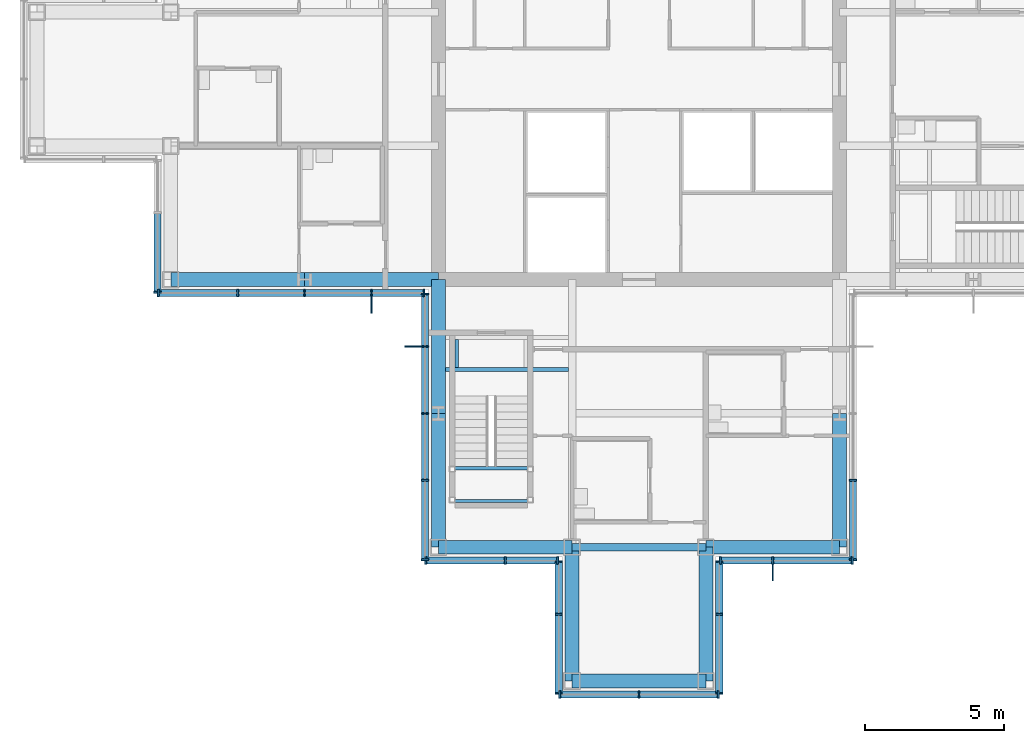
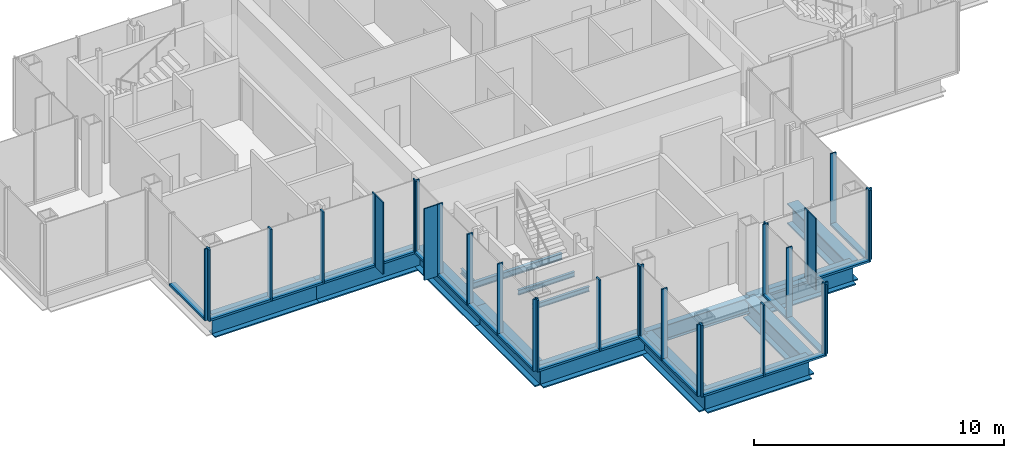
# One storey, part 5 of 15: 51 members, 15 beams, 9 elements without a shape of their own.
"""IFC4 building model written with IfcOpenShell, lengths in metres."""

import ifcopenshell
import ifcopenshell.guid

model = None  # the IFC model being written
_history = None  # IfcOwnerHistory: only IFC2X3 demands one
_inside = {}  # id of a spatial element -> (the spatial element, [elements in it])
_under = {}  # id of a project, library or spatial element -> (it, [spatial elements below it])
_declared = {}  # id of a project -> (the project, [libraries it declares])
_typed = {}  # id of a type object -> (the type object, [elements of that type])
_made_of = {}  # id of a material, layer set ... -> (it, [elements and type objects made of it])


def new_model(schema):
    """Start an empty IFC model of exactly this schema.

    Asked for "IFC4X3", IfcOpenShell would pick the latest addendum, in which some entities
    have other attributes; the version numbers below select the first issue.
    IFC2X3 requires an IfcOwnerHistory on every rooted entity: one is made here for all.
    """
    global model, _history
    if schema == "IFC4X3":
        model = ifcopenshell.file(schema_version=(4, 3, 0, 0))
    else:
        model = ifcopenshell.file(schema=schema)
    _inside.clear()
    _under.clear()
    _declared.clear()
    _typed.clear()
    _made_of.clear()
    _history = None
    if model.schema == "IFC2X3":
        org = make("IfcOrganization", Name="unknown")
        user = make(
            "IfcPersonAndOrganization",
            ThePerson=make("IfcPerson", FamilyName="unknown"),
            TheOrganization=org,
        )
        app = make(
            "IfcApplication",
            ApplicationDeveloper=org,
            Version="unknown",
            ApplicationFullName="unknown",
            ApplicationIdentifier="unknown",
        )
        _history = make(
            "IfcOwnerHistory",
            OwningUser=user,
            OwningApplication=app,
            ChangeAction="ADDED",
            CreationDate=0,
        )
    return model


def make(cls, **values):
    """One entity of the class cls with the attributes given. An attribute that is None is left unset."""
    return model.create_entity(
        cls, **{name: value for name, value in values.items() if value is not None}
    )


def rooted(cls, **values):
    """An entity with a GlobalId (a new one), such as an element, a storey or a relation."""
    return make(cls, GlobalId=ifcopenshell.guid.new(), OwnerHistory=_history, **values)


def si_unit(unit_type, name, prefix=None):
    """IfcSIUnit, for example si_unit("LENGTHUNIT", "METRE", prefix="MILLI")."""
    return make("IfcSIUnit", UnitType=unit_type, Prefix=prefix, Name=name)


def assignment(units):
    """IfcUnitAssignment: the units of a project."""
    return None if units is None else make("IfcUnitAssignment", Units=units)


def point(xyz):
    """IfcCartesianPoint."""
    return None if xyz is None else make("IfcCartesianPoint", Coordinates=xyz)


def direction(xyz):
    """IfcDirection."""
    return None if xyz is None else make("IfcDirection", DirectionRatios=xyz)


def frame(location, z_axis=None, x_axis=None):
    """IfcAxis2Placement3D, a coordinate frame: its origin and axes. An axis left out is left unset."""
    return make(
        "IfcAxis2Placement3D",
        Location=point(location),
        Axis=direction(z_axis),
        RefDirection=direction(x_axis),
    )


def frame_2d(location, x_axis=None):
    """IfcAxis2Placement2D, a coordinate frame in the plane: its origin and x axis."""
    return make(
        "IfcAxis2Placement2D", Location=point(location), RefDirection=direction(x_axis)
    )


def origin():
    """The frame at (0, 0, 0) with its axes left unset."""
    return frame((0.0, 0.0, 0.0))


def origin_2d():
    """The frame at (0, 0) in the plane with its x axis left unset."""
    return frame_2d((0.0, 0.0))


def place(relative_to, where):
    """IfcLocalPlacement: puts the frame where relative to a parent placement (None: the world)."""
    return make(
        "IfcLocalPlacement", PlacementRelTo=relative_to, RelativePlacement=where
    )


def context(
    kind, dimensions, precision=None, world=None, true_north=None, identifier=None
):
    """IfcGeometricRepresentationContext, for example the 3D "Model" context."""
    return make(
        "IfcGeometricRepresentationContext",
        ContextIdentifier=identifier,
        ContextType=kind,
        CoordinateSpaceDimension=dimensions,
        Precision=precision,
        WorldCoordinateSystem=world,
        TrueNorth=true_north,
    )


def subcontext(parent, identifier, kind, view, scale=None):
    """IfcGeometricRepresentationSubContext, for example "Body" below "Model"."""
    return make(
        "IfcGeometricRepresentationSubContext",
        ContextIdentifier=identifier,
        ContextType=kind,
        ParentContext=parent,
        TargetScale=scale,
        TargetView=view,
    )


def project(units=None, contexts=None):
    """IfcProject with its units and contexts."""
    return rooted(
        "IfcProject",
        Name="project",
        RepresentationContexts=contexts,
        UnitsInContext=assignment(units),
    )


def spatial(cls, under=None, at=None, **own):
    """A site, building, storey or space (cls), placed at a placement, below another one or the project."""
    s = rooted(cls, ObjectPlacement=at, **own)
    if under is not None:
        _under.setdefault(under.id(), (under, []))[1].append(s)
    return s


def profile(cls, at=None, kind="AREA", **sizes):
    """A parametric profile (cls). Its sizes go by their IFC names, for example OverallWidth=200.0."""
    return make(cls, ProfileType=kind, Position=at, **sizes)


def rectangle(**sizes):
    """IfcRectangleProfileDef."""
    return profile("IfcRectangleProfileDef", **sizes)


def i_section(**sizes):
    """IfcIShapeProfileDef."""
    return profile("IfcIShapeProfileDef", **sizes)


def extrude(swept, where, along, depth):
    """IfcExtrudedAreaSolid: the profile swept, set in the frame where, extruded along a direction by depth."""
    return make(
        "IfcExtrudedAreaSolid",
        SweptArea=swept,
        Position=where,
        ExtrudedDirection=direction(along),
        Depth=depth,
    )


def shape(context_of_items, identifier, shape_type, items):
    """IfcShapeRepresentation: the items that make up one representation, for example the "Body"."""
    return make(
        "IfcShapeRepresentation",
        ContextOfItems=context_of_items,
        RepresentationIdentifier=identifier,
        RepresentationType=shape_type,
        Items=items,
    )


def material(Name=None, Category=None):
    """IfcMaterial."""
    return make("IfcMaterial", Name=Name, Category=Category)


def material_profile(
    of_material, cross_section, Name=None, Category=None, Priority=None
):
    """IfcMaterialProfile: a cross section and its material."""
    return make(
        "IfcMaterialProfile",
        Name=Name,
        Material=of_material,
        Profile=cross_section,
        Priority=Priority,
        Category=Category,
    )


def profile_set(profiles, Name=None, composite=None):
    """IfcMaterialProfileSet."""
    return make(
        "IfcMaterialProfileSet",
        Name=Name,
        MaterialProfiles=profiles,
        CompositeProfile=composite,
    )


def made_of(thing, what):
    """Note that an element or type object is made of a material, layer set ...; save() writes the relation."""
    if what is not None:
        _made_of.setdefault(what.id(), (what, []))[1].append(thing)
    return thing


def type_object(cls, material=None, **own):
    """A type object (cls), such as IfcWallType, which elements share."""
    return made_of(rooted(cls, **own), material)


def element(
    cls,
    number,
    at=None,
    inside=None,
    cuts=None,
    type_object=None,
    material=None,
    context=None,
    identifier="Body",
    shape_type=None,
    held_by="IfcProductDefinitionShape",
    body=None,
    shapes=None,
    **own,
):
    """One element of the class cls, such as IfcWall. Its Tag is "e" and its number.

    at: its placement. inside: the storey or other place that contains it. cuts: it is an
    opening in that element (IfcRelVoidsElement). A single representation is given by context,
    identifier, shape_type and body (its items); several are given by shapes. held_by: the class
    of the entity that holds the representations. save() writes the other relations.
    """
    e = rooted(cls, Tag="e%d" % number, ObjectPlacement=at, **own)
    if body is not None:
        shapes = [shape(context, identifier, shape_type, body)]
    if shapes is not None:
        e.Representation = make(held_by, Representations=shapes)
    if inside is not None:
        _inside.setdefault(inside.id(), (inside, []))[1].append(e)
    if cuts is not None:
        rooted(
            "IfcRelVoidsElement", RelatingBuildingElement=cuts, RelatedOpeningElement=e
        )
    if type_object is not None:
        _typed.setdefault(type_object.id(), (type_object, []))[1].append(e)
    return made_of(e, material)


def aggregate(whole, parts):
    """IfcRelAggregates: a whole, such as a stair, and the parts it consists of."""
    return rooted("IfcRelAggregates", RelatingObject=whole, RelatedObjects=parts)


def save(model, path):
    """Write the relations noted so far, then the file.

    IfcRelAggregates (storeys below a building ...), IfcRelContainedInSpatialStructure (elements
    in a storey), IfcRelDefinesByType, IfcRelAssociatesMaterial and IfcRelDeclares: one each for
    every whole, place, type object, material and project.
    """
    for whole, parts in _under.values():
        aggregate(whole, parts)
    for where, things in _inside.values():
        rooted(
            "IfcRelContainedInSpatialStructure",
            RelatedElements=things,
            RelatingStructure=where,
        )
    for kind, things in _typed.values():
        rooted("IfcRelDefinesByType", RelatedObjects=things, RelatingType=kind)
    for what, things in _made_of.values():
        rooted("IfcRelAssociatesMaterial", RelatedObjects=things, RelatingMaterial=what)
    for by, libraries in _declared.values():
        rooted("IfcRelDeclares", RelatingContext=by, RelatedDefinitions=libraries)
    model.write(path)


model = new_model("IFC4")

# Units and contexts
model_context = context("Model", 3, precision=1e-05, world=origin(), true_north=direction((0.0, 1.0)))
body_context = subcontext(model_context, "Body", "Model", "MODEL_VIEW")
ifc_project = project(units=[si_unit("LENGTHUNIT", "METRE"), si_unit("AREAUNIT", "SQUARE_METRE"), si_unit("VOLUMEUNIT", "CUBIC_METRE"), si_unit("PLANEANGLEUNIT", "RADIAN"), si_unit("MASSUNIT", "GRAM", prefix="KILO")], contexts=[model_context])

# Site, building, storey
site_placement = place(None, origin())
site = spatial("IfcSite", under=ifc_project, at=site_placement, CompositionType="ELEMENT")
building_placement = place(site_placement, origin())
building = spatial("IfcBuilding", under=site, at=building_placement, Name="Kvirike Care Tower", CompositionType="ELEMENT")
storey_placement = place(building_placement, frame((0.0, 0.0, 233.0)))
storey = spatial("IfcBuildingStorey", under=building, at=storey_placement, Name="L64", CompositionType="ELEMENT", Elevation=233.0)

# Curtain wall, member
ifc_material_1 = material(Name="Anodised aluminium stick system", Category="aluminium")
curtain_wall_type = type_object("IfcCurtainWallType", Name="CW-D STICK CURTAIN WALL", PredefinedType="NOTDEFINED", material=ifc_material_1)
curtain_wall_1_placement = place(storey_placement, origin())
curtain_wall_1 = element("IfcCurtainWall", 1, at=curtain_wall_1_placement, inside=storey, type_object=curtain_wall_type, Name="Curtain wall L64 face 13", PredefinedType="NOTDEFINED")
ifc_material_2 = material(Name="Bronze anodised aluminium fin", Category="aluminium")
ifc_material_profile_1 = material_profile(ifc_material_2, rectangle(XDim=0.050048828125, YDim=0.60009765625, at=origin_2d()), Name="BRONZE FIN 600")
ifc_profile_set_1 = profile_set([ifc_material_profile_1], Name="Bronze anodised aluminium fin")
member_type_1 = type_object("IfcMemberType", Name="BRONZE FIN 600", PredefinedType="USERDEFINED", material=ifc_profile_set_1)
member_1_placement = place(storey_placement, frame((12.0, 27.889892578125, 0.0), z_axis=(0.0, 0.0, 1.0), x_axis=(1.0, 0.0, 0.0)))
member_1 = element("IfcMember", 2, at=member_1_placement, type_object=member_type_1, Name="Bronze fin L64 face 13.4", ObjectType="FIN", PredefinedType="USERDEFINED", context=body_context, shape_type="SweptSolid", body=[
    extrude(rectangle(XDim=0.050048828125, YDim=0.60009765625, at=origin_2d()), origin(), (0.0, 0.0, 1.0), 3.5),
])

curtain_wall_2_placement = place(storey_placement, origin())
curtain_wall_2 = element("IfcCurtainWall", 3, at=curtain_wall_2_placement, inside=storey, type_object=curtain_wall_type, Name="Curtain wall L64 face 14", PredefinedType="NOTDEFINED")
member_2_placement = place(storey_placement, frame((13.489990234375, 26.39990234375, 0.0), z_axis=(0.0, 0.0, 1.0), x_axis=(0.0, -1.0, 0.0)))
member_2 = element("IfcMember", 4, at=member_2_placement, type_object=member_type_1, Name="Bronze fin L64 face 14.2", ObjectType="FIN", PredefinedType="USERDEFINED", context=body_context, shape_type="SweptSolid", body=[
    extrude(rectangle(XDim=0.050048828125, YDim=0.60009765625, at=origin_2d()), origin(), (0.0, 0.0, 1.0), 3.5),
])

curtain_wall_3_placement = place(storey_placement, origin())
curtain_wall_3 = element("IfcCurtainWall", 5, at=curtain_wall_3_placement, inside=storey, type_object=curtain_wall_type, Name="Curtain wall L64 face 19", PredefinedType="NOTDEFINED")
member_3_placement = place(storey_placement, frame((26.39990234375, 18.2900390625, 0.0), z_axis=(0.0, 0.0, 1.0), x_axis=(1.0, 0.0, 0.0)))
member_3 = element("IfcMember", 6, at=member_3_placement, type_object=member_type_1, Name="Bronze fin L64 face 19.2", ObjectType="FIN", PredefinedType="USERDEFINED", context=body_context, shape_type="SweptSolid", body=[
    extrude(rectangle(XDim=0.050048828125, YDim=0.60009765625, at=origin_2d()), origin(), (0.0, 0.0, 1.0), 3.5),
])

curtain_wall_4_placement = place(storey_placement, origin())
curtain_wall_4 = element("IfcCurtainWall", 7, at=curtain_wall_4_placement, inside=storey, type_object=curtain_wall_type, Name="Curtain wall L64 face 12", PredefinedType="NOTDEFINED")
ifc_material_3 = material(Name="Bronze anodised aluminium mullion", Category="aluminium")
ifc_material_profile_2 = material_profile(ifc_material_3, rectangle(XDim=0.06494140625, YDim=0.260009765625, at=origin_2d()), Name="CW-D MULLION 65x260")
ifc_profile_set_2 = profile_set([ifc_material_profile_2], Name="Bronze anodised aluminium mullion")
member_type_2 = type_object("IfcMemberType", Name="CW-D MULLION 65x260", PredefinedType="MULLION", material=ifc_profile_set_2)
member_4_placement = place(storey_placement, frame((4.320068359375, 28.3525390625, 0.0), z_axis=(0.0, 0.0, 1.0), x_axis=(0.0, -1.0, 0.0)))
member_4 = element("IfcMember", 8, at=member_4_placement, type_object=member_type_2, Name="CW-D mullion L64 face 12.3", PredefinedType="MULLION", context=body_context, shape_type="SweptSolid", body=[
    extrude(rectangle(XDim=0.06494140625, YDim=0.260009765625, at=origin_2d()), origin(), (0.0, 0.0, 1.0), 3.5),
])

# Member
member_5_placement = place(storey_placement, frame((4.3525390625, 28.320068359375, 0.0), z_axis=(0.0, 0.0, 1.0), x_axis=(1.0, 0.0, 0.0)))
member_5 = element("IfcMember", 9, at=member_5_placement, type_object=member_type_2, Name="CW-D mullion L64 face 13.1", PredefinedType="MULLION", context=body_context, shape_type="SweptSolid", body=[
    extrude(rectangle(XDim=0.06494140625, YDim=0.260009765625, at=origin_2d()), origin(), (0.0, 0.0, 1.0), 3.5),
])

member_6_placement = place(storey_placement, frame((7.199951171875, 28.320068359375, 0.0), z_axis=(0.0, 0.0, 1.0), x_axis=(1.0, 0.0, 0.0)))
member_6 = element("IfcMember", 10, at=member_6_placement, type_object=member_type_2, Name="CW-D mullion L64 face 13.2", PredefinedType="MULLION", context=body_context, shape_type="SweptSolid", body=[
    extrude(rectangle(XDim=0.06494140625, YDim=0.260009765625, at=origin_2d()), origin(), (0.0, 0.0, 1.0), 3.5),
])

member_7_placement = place(storey_placement, frame((9.60009765625, 28.320068359375, 0.0), z_axis=(0.0, 0.0, 1.0), x_axis=(1.0, 0.0, 0.0)))
member_7 = element("IfcMember", 11, at=member_7_placement, type_object=member_type_2, Name="CW-D mullion L64 face 13.3", PredefinedType="MULLION", context=body_context, shape_type="SweptSolid", body=[
    extrude(rectangle(XDim=0.06494140625, YDim=0.260009765625, at=origin_2d()), origin(), (0.0, 0.0, 1.0), 3.5),
])

member_8_placement = place(storey_placement, frame((12.0, 28.320068359375, 0.0), z_axis=(0.0, 0.0, 1.0), x_axis=(1.0, 0.0, 0.0)))
member_8 = element("IfcMember", 12, at=member_8_placement, type_object=member_type_2, Name="CW-D mullion L64 face 13.4", PredefinedType="MULLION", context=body_context, shape_type="SweptSolid", body=[
    extrude(rectangle(XDim=0.06494140625, YDim=0.260009765625, at=origin_2d()), origin(), (0.0, 0.0, 1.0), 3.5),
])

member_9_placement = place(storey_placement, frame((13.887451171875, 28.320068359375, 0.0), z_axis=(0.0, 0.0, 1.0), x_axis=(1.0, 0.0, 0.0)))
member_9 = element("IfcMember", 13, at=member_9_placement, type_object=member_type_2, Name="CW-D mullion L64 face 13.5", PredefinedType="MULLION", context=body_context, shape_type="SweptSolid", body=[
    extrude(rectangle(XDim=0.06494140625, YDim=0.260009765625, at=origin_2d()), origin(), (0.0, 0.0, 1.0), 3.5),
])

member_10_placement = place(storey_placement, frame((13.919921875, 28.28759765625, 0.0), z_axis=(0.0, 0.0, 1.0), x_axis=(0.0, -1.0, 0.0)))
member_10 = element("IfcMember", 14, at=member_10_placement, type_object=member_type_2, Name="CW-D mullion L64 face 14.1", PredefinedType="MULLION", context=body_context, shape_type="SweptSolid", body=[
    extrude(rectangle(XDim=0.06494140625, YDim=0.260009765625, at=origin_2d()), origin(), (0.0, 0.0, 1.0), 3.5),
])

member_11_placement = place(storey_placement, frame((13.919921875, 26.39990234375, 0.0), z_axis=(0.0, 0.0, 1.0), x_axis=(0.0, -1.0, 0.0)))
member_11 = element("IfcMember", 15, at=member_11_placement, type_object=member_type_2, Name="CW-D mullion L64 face 14.2", PredefinedType="MULLION", context=body_context, shape_type="SweptSolid", body=[
    extrude(rectangle(XDim=0.06494140625, YDim=0.260009765625, at=origin_2d()), origin(), (0.0, 0.0, 1.0), 3.5),
])

member_12_placement = place(storey_placement, frame((13.919921875, 24.0, 0.0), z_axis=(0.0, 0.0, 1.0), x_axis=(0.0, -1.0, 0.0)))
member_12 = element("IfcMember", 16, at=member_12_placement, type_object=member_type_2, Name="CW-D mullion L64 face 14.3", PredefinedType="MULLION", context=body_context, shape_type="SweptSolid", body=[
    extrude(rectangle(XDim=0.06494140625, YDim=0.260009765625, at=origin_2d()), origin(), (0.0, 0.0, 1.0), 3.5),
])

member_13_placement = place(storey_placement, frame((13.919921875, 21.60009765625, 0.0), z_axis=(0.0, 0.0, 1.0), x_axis=(0.0, -1.0, 0.0)))
member_13 = element("IfcMember", 17, at=member_13_placement, type_object=member_type_2, Name="CW-D mullion L64 face 14.4", PredefinedType="MULLION", context=body_context, shape_type="SweptSolid", body=[
    extrude(rectangle(XDim=0.06494140625, YDim=0.260009765625, at=origin_2d()), origin(), (0.0, 0.0, 1.0), 3.5),
])

member_14_placement = place(storey_placement, frame((13.919921875, 18.75244140625, 0.0), z_axis=(0.0, 0.0, 1.0), x_axis=(0.0, -1.0, 0.0)))
member_14 = element("IfcMember", 18, at=member_14_placement, type_object=member_type_2, Name="CW-D mullion L64 face 14.5", PredefinedType="MULLION", context=body_context, shape_type="SweptSolid", body=[
    extrude(rectangle(XDim=0.06494140625, YDim=0.260009765625, at=origin_2d()), origin(), (0.0, 0.0, 1.0), 3.5),
])

# Curtain wall, members
curtain_wall_5_placement = place(storey_placement, origin())
curtain_wall_5 = element("IfcCurtainWall", 19, at=curtain_wall_5_placement, inside=storey, type_object=curtain_wall_type, Name="Curtain wall L64 face 15", PredefinedType="NOTDEFINED")
member_15_placement = place(storey_placement, frame((13.952392578125, 18.719970703125, 0.0), z_axis=(0.0, 0.0, 1.0), x_axis=(1.0, 0.0, 0.0)))
member_15 = element("IfcMember", 20, at=member_15_placement, type_object=member_type_2, Name="CW-D mullion L64 face 15.1", PredefinedType="MULLION", context=body_context, shape_type="SweptSolid", body=[
    extrude(rectangle(XDim=0.06494140625, YDim=0.260009765625, at=origin_2d()), origin(), (0.0, 0.0, 1.0), 3.5),
])
member_16_placement = place(storey_placement, frame((16.800048828125, 18.719970703125, 0.0), z_axis=(0.0, 0.0, 1.0), x_axis=(1.0, 0.0, 0.0)))
member_16 = element("IfcMember", 21, at=member_16_placement, type_object=member_type_2, Name="CW-D mullion L64 face 15.2", PredefinedType="MULLION", context=body_context, shape_type="SweptSolid", body=[
    extrude(rectangle(XDim=0.06494140625, YDim=0.260009765625, at=origin_2d()), origin(), (0.0, 0.0, 1.0), 3.5),
])
member_17_placement = place(storey_placement, frame((18.6875, 18.719970703125, 0.0), z_axis=(0.0, 0.0, 1.0), x_axis=(1.0, 0.0, 0.0)))
member_17 = element("IfcMember", 22, at=member_17_placement, type_object=member_type_2, Name="CW-D mullion L64 face 15.3", PredefinedType="MULLION", context=body_context, shape_type="SweptSolid", body=[
    extrude(rectangle(XDim=0.06494140625, YDim=0.260009765625, at=origin_2d()), origin(), (0.0, 0.0, 1.0), 3.5),
])

curtain_wall_6_placement = place(storey_placement, origin())
curtain_wall_6 = element("IfcCurtainWall", 23, at=curtain_wall_6_placement, inside=storey, type_object=curtain_wall_type, Name="Curtain wall L64 face 16", PredefinedType="NOTDEFINED")
member_18_placement = place(storey_placement, frame((18.719970703125, 18.6875, 0.0), z_axis=(0.0, 0.0, 1.0), x_axis=(0.0, -1.0, 0.0)))
member_18 = element("IfcMember", 24, at=member_18_placement, type_object=member_type_2, Name="CW-D mullion L64 face 16.1", PredefinedType="MULLION", context=body_context, shape_type="SweptSolid", body=[
    extrude(rectangle(XDim=0.06494140625, YDim=0.260009765625, at=origin_2d()), origin(), (0.0, 0.0, 1.0), 3.5),
])
member_19_placement = place(storey_placement, frame((18.719970703125, 16.800048828125, 0.0), z_axis=(0.0, 0.0, 1.0), x_axis=(0.0, -1.0, 0.0)))
member_19 = element("IfcMember", 25, at=member_19_placement, type_object=member_type_2, Name="CW-D mullion L64 face 16.2", PredefinedType="MULLION", context=body_context, shape_type="SweptSolid", body=[
    extrude(rectangle(XDim=0.06494140625, YDim=0.260009765625, at=origin_2d()), origin(), (0.0, 0.0, 1.0), 3.5),
])
member_20_placement = place(storey_placement, frame((18.719970703125, 13.952392578125, 0.0), z_axis=(0.0, 0.0, 1.0), x_axis=(0.0, -1.0, 0.0)))
member_20 = element("IfcMember", 26, at=member_20_placement, type_object=member_type_2, Name="CW-D mullion L64 face 16.3", PredefinedType="MULLION", context=body_context, shape_type="SweptSolid", body=[
    extrude(rectangle(XDim=0.06494140625, YDim=0.260009765625, at=origin_2d()), origin(), (0.0, 0.0, 1.0), 3.5),
])

curtain_wall_7_placement = place(storey_placement, origin())
curtain_wall_7 = element("IfcCurtainWall", 27, at=curtain_wall_7_placement, inside=storey, type_object=curtain_wall_type, Name="Curtain wall L64 face 17", PredefinedType="NOTDEFINED")
member_21_placement = place(storey_placement, frame((18.75244140625, 13.919921875, 0.0), z_axis=(0.0, 0.0, 1.0), x_axis=(1.0, 0.0, 0.0)))
member_21 = element("IfcMember", 28, at=member_21_placement, type_object=member_type_2, Name="CW-D mullion L64 face 17.1", PredefinedType="MULLION", context=body_context, shape_type="SweptSolid", body=[
    extrude(rectangle(XDim=0.06494140625, YDim=0.260009765625, at=origin_2d()), origin(), (0.0, 0.0, 1.0), 3.5),
])
member_22_placement = place(storey_placement, frame((21.60009765625, 13.919921875, 0.0), z_axis=(0.0, 0.0, 1.0), x_axis=(1.0, 0.0, 0.0)))
member_22 = element("IfcMember", 29, at=member_22_placement, type_object=member_type_2, Name="CW-D mullion L64 face 17.2", PredefinedType="MULLION", context=body_context, shape_type="SweptSolid", body=[
    extrude(rectangle(XDim=0.06494140625, YDim=0.260009765625, at=origin_2d()), origin(), (0.0, 0.0, 1.0), 3.5),
])
member_23_placement = place(storey_placement, frame((24.447509765625, 13.919921875, 0.0), z_axis=(0.0, 0.0, 1.0), x_axis=(1.0, 0.0, 0.0)))
member_23 = element("IfcMember", 30, at=member_23_placement, type_object=member_type_2, Name="CW-D mullion L64 face 17.3", PredefinedType="MULLION", context=body_context, shape_type="SweptSolid", body=[
    extrude(rectangle(XDim=0.06494140625, YDim=0.260009765625, at=origin_2d()), origin(), (0.0, 0.0, 1.0), 3.5),
])

curtain_wall_8_placement = place(storey_placement, origin())
curtain_wall_8 = element("IfcCurtainWall", 31, at=curtain_wall_8_placement, inside=storey, type_object=curtain_wall_type, Name="Curtain wall L64 face 18", PredefinedType="NOTDEFINED")
member_24_placement = place(storey_placement, frame((24.47998046875, 13.952392578125, 0.0), z_axis=(0.0, 0.0, 1.0), x_axis=(0.0, 1.0, 0.0)))
member_24 = element("IfcMember", 32, at=member_24_placement, type_object=member_type_2, Name="CW-D mullion L64 face 18.1", PredefinedType="MULLION", context=body_context, shape_type="SweptSolid", body=[
    extrude(rectangle(XDim=0.06494140625, YDim=0.260009765625, at=origin_2d()), origin(), (0.0, 0.0, 1.0), 3.5),
])
member_25_placement = place(storey_placement, frame((24.47998046875, 16.800048828125, 0.0), z_axis=(0.0, 0.0, 1.0), x_axis=(0.0, 1.0, 0.0)))
member_25 = element("IfcMember", 33, at=member_25_placement, type_object=member_type_2, Name="CW-D mullion L64 face 18.2", PredefinedType="MULLION", context=body_context, shape_type="SweptSolid", body=[
    extrude(rectangle(XDim=0.06494140625, YDim=0.260009765625, at=origin_2d()), origin(), (0.0, 0.0, 1.0), 3.5),
])
member_26_placement = place(storey_placement, frame((24.47998046875, 18.6875, 0.0), z_axis=(0.0, 0.0, 1.0), x_axis=(0.0, 1.0, 0.0)))
member_26 = element("IfcMember", 34, at=member_26_placement, type_object=member_type_2, Name="CW-D mullion L64 face 18.3", PredefinedType="MULLION", context=body_context, shape_type="SweptSolid", body=[
    extrude(rectangle(XDim=0.06494140625, YDim=0.260009765625, at=origin_2d()), origin(), (0.0, 0.0, 1.0), 3.5),
])

# Member
member_27_placement = place(storey_placement, frame((24.512451171875, 18.719970703125, 0.0), z_axis=(0.0, 0.0, 1.0), x_axis=(1.0, 0.0, 0.0)))
member_27 = element("IfcMember", 35, at=member_27_placement, type_object=member_type_2, Name="CW-D mullion L64 face 19.1", PredefinedType="MULLION", context=body_context, shape_type="SweptSolid", body=[
    extrude(rectangle(XDim=0.06494140625, YDim=0.260009765625, at=origin_2d()), origin(), (0.0, 0.0, 1.0), 3.5),
])

member_28_placement = place(storey_placement, frame((26.39990234375, 18.719970703125, 0.0), z_axis=(0.0, 0.0, 1.0), x_axis=(1.0, 0.0, 0.0)))
member_28 = element("IfcMember", 36, at=member_28_placement, type_object=member_type_2, Name="CW-D mullion L64 face 19.2", PredefinedType="MULLION", context=body_context, shape_type="SweptSolid", body=[
    extrude(rectangle(XDim=0.06494140625, YDim=0.260009765625, at=origin_2d()), origin(), (0.0, 0.0, 1.0), 3.5),
])

member_29_placement = place(storey_placement, frame((29.24755859375, 18.719970703125, 0.0), z_axis=(0.0, 0.0, 1.0), x_axis=(1.0, 0.0, 0.0)))
member_29 = element("IfcMember", 37, at=member_29_placement, type_object=member_type_2, Name="CW-D mullion L64 face 19.3", PredefinedType="MULLION", context=body_context, shape_type="SweptSolid", body=[
    extrude(rectangle(XDim=0.06494140625, YDim=0.260009765625, at=origin_2d()), origin(), (0.0, 0.0, 1.0), 3.5),
])

# Curtain wall, members
curtain_wall_9_placement = place(storey_placement, origin())
curtain_wall_9 = element("IfcCurtainWall", 38, at=curtain_wall_9_placement, inside=storey, type_object=curtain_wall_type, Name="Curtain wall L64 face 20", PredefinedType="NOTDEFINED")
member_30_placement = place(storey_placement, frame((29.280029296875, 18.75244140625, 0.0), z_axis=(0.0, 0.0, 1.0), x_axis=(0.0, 1.0, 0.0)))
member_30 = element("IfcMember", 39, at=member_30_placement, type_object=member_type_2, Name="CW-D mullion L64 face 20.1", PredefinedType="MULLION", context=body_context, shape_type="SweptSolid", body=[
    extrude(rectangle(XDim=0.06494140625, YDim=0.260009765625, at=origin_2d()), origin(), (0.0, 0.0, 1.0), 3.5),
])
member_31_placement = place(storey_placement, frame((29.280029296875, 21.60009765625, 0.0), z_axis=(0.0, 0.0, 1.0), x_axis=(0.0, 1.0, 0.0)))
member_31 = element("IfcMember", 40, at=member_31_placement, type_object=member_type_2, Name="CW-D mullion L64 face 20.2", PredefinedType="MULLION", context=body_context, shape_type="SweptSolid", body=[
    extrude(rectangle(XDim=0.06494140625, YDim=0.260009765625, at=origin_2d()), origin(), (0.0, 0.0, 1.0), 3.5),
])

# Member
ifc_material_4 = material(Name="Bronze anodised aluminium transom", Category="aluminium")
ifc_material_profile_3 = material_profile(ifc_material_4, rectangle(XDim=0.260009765625, YDim=0.10009765625, at=origin_2d()), Name="CW-D TRANSOM 260x100")
ifc_profile_set_3 = profile_set([ifc_material_profile_3], Name="Bronze anodised aluminium transom")
member_type_3 = type_object("IfcMemberType", Name="CW-D TRANSOM 260x100", PredefinedType="USERDEFINED", material=ifc_profile_set_3)
member_32_placement = place(storey_placement, frame((4.320068359375, 31.16748046875, 0.050048828125), z_axis=(0.0, -1.0, 0.0), x_axis=(1.0, 0.0, 0.0)))
member_32 = element("IfcMember", 41, at=member_32_placement, type_object=member_type_3, Name="CW-D sill transom L64 face 12.2", ObjectType="TRANSOM", PredefinedType="USERDEFINED", context=body_context, shape_type="SweptSolid", body=[
    extrude(rectangle(XDim=0.260009765625, YDim=0.10009765625, at=origin_2d()), origin(), (0.0, 0.0, 1.0), 2.782470703125),
])

aggregate(curtain_wall_4, [member_4, member_32])

member_33_placement = place(storey_placement, frame((4.385009765625, 28.320068359375, 0.050048828125), z_axis=(1.0, 0.0, 0.0), x_axis=(0.0, 1.0, 0.0)))
member_33 = element("IfcMember", 42, at=member_33_placement, type_object=member_type_3, Name="CW-D sill transom L64 face 13.1", ObjectType="TRANSOM", PredefinedType="USERDEFINED", context=body_context, shape_type="SweptSolid", body=[
    extrude(rectangle(XDim=0.260009765625, YDim=0.10009765625, at=origin_2d()), origin(), (0.0, 0.0, 1.0), 2.782470703125),
])

member_34_placement = place(storey_placement, frame((7.232421875, 28.320068359375, 0.050048828125), z_axis=(1.0, 0.0, 0.0), x_axis=(0.0, 1.0, 0.0)))
member_34 = element("IfcMember", 43, at=member_34_placement, type_object=member_type_3, Name="CW-D sill transom L64 face 13.2", ObjectType="TRANSOM", PredefinedType="USERDEFINED", context=body_context, shape_type="SweptSolid", body=[
    extrude(rectangle(XDim=0.260009765625, YDim=0.10009765625, at=origin_2d()), origin(), (0.0, 0.0, 1.0), 2.3349609375),
])

member_35_placement = place(storey_placement, frame((9.632568359375, 28.320068359375, 0.050048828125), z_axis=(1.0, 0.0, 0.0), x_axis=(0.0, 1.0, 0.0)))
member_35 = element("IfcMember", 44, at=member_35_placement, type_object=member_type_3, Name="CW-D sill transom L64 face 13.3", ObjectType="TRANSOM", PredefinedType="USERDEFINED", context=body_context, shape_type="SweptSolid", body=[
    extrude(rectangle(XDim=0.260009765625, YDim=0.10009765625, at=origin_2d()), origin(), (0.0, 0.0, 1.0), 2.3349609375),
])

member_36_placement = place(storey_placement, frame((12.032470703125, 28.320068359375, 0.050048828125), z_axis=(1.0, 0.0, 0.0), x_axis=(0.0, 1.0, 0.0)))
member_36 = element("IfcMember", 45, at=member_36_placement, type_object=member_type_3, Name="CW-D sill transom L64 face 13.4", ObjectType="TRANSOM", PredefinedType="USERDEFINED", context=body_context, shape_type="SweptSolid", body=[
    extrude(rectangle(XDim=0.260009765625, YDim=0.10009765625, at=origin_2d()), origin(), (0.0, 0.0, 1.0), 1.822509765625),
])

aggregate(curtain_wall_1, [member_5, member_6, member_7, member_8, member_1, member_9, member_33, member_34, member_35, member_36])

member_37_placement = place(storey_placement, frame((13.919921875, 28.2548828125, 0.050048828125), z_axis=(0.0, -1.0, 0.0), x_axis=(1.0, 0.0, 0.0)))
member_37 = element("IfcMember", 46, at=member_37_placement, type_object=member_type_3, Name="CW-D sill transom L64 face 14.1", ObjectType="TRANSOM", PredefinedType="USERDEFINED", context=body_context, shape_type="SweptSolid", body=[
    extrude(rectangle(XDim=0.260009765625, YDim=0.10009765625, at=origin_2d()), origin(), (0.0, 0.0, 1.0), 1.822265625),
])

member_38_placement = place(storey_placement, frame((13.919921875, 26.367431640625, 0.050048828125), z_axis=(0.0, -1.0, 0.0), x_axis=(1.0, 0.0, 0.0)))
member_38 = element("IfcMember", 47, at=member_38_placement, type_object=member_type_3, Name="CW-D sill transom L64 face 14.2", ObjectType="TRANSOM", PredefinedType="USERDEFINED", context=body_context, shape_type="SweptSolid", body=[
    extrude(rectangle(XDim=0.260009765625, YDim=0.10009765625, at=origin_2d()), origin(), (0.0, 0.0, 1.0), 2.3349609375),
])

member_39_placement = place(storey_placement, frame((13.919921875, 23.967529296875, 0.050048828125), z_axis=(0.0, -1.0, 0.0), x_axis=(1.0, 0.0, 0.0)))
member_39 = element("IfcMember", 48, at=member_39_placement, type_object=member_type_3, Name="CW-D sill transom L64 face 14.3", ObjectType="TRANSOM", PredefinedType="USERDEFINED", context=body_context, shape_type="SweptSolid", body=[
    extrude(rectangle(XDim=0.260009765625, YDim=0.10009765625, at=origin_2d()), origin(), (0.0, 0.0, 1.0), 2.3349609375),
])

member_40_placement = place(storey_placement, frame((13.919921875, 21.5673828125, 0.050048828125), z_axis=(0.0, -1.0, 0.0), x_axis=(1.0, 0.0, 0.0)))
member_40 = element("IfcMember", 49, at=member_40_placement, type_object=member_type_3, Name="CW-D sill transom L64 face 14.4", ObjectType="TRANSOM", PredefinedType="USERDEFINED", context=body_context, shape_type="SweptSolid", body=[
    extrude(rectangle(XDim=0.260009765625, YDim=0.10009765625, at=origin_2d()), origin(), (0.0, 0.0, 1.0), 2.782470703125),
])

aggregate(curtain_wall_2, [member_10, member_11, member_2, member_12, member_13, member_14, member_37, member_38, member_39, member_40])

member_41_placement = place(storey_placement, frame((13.985107421875, 18.719970703125, 0.050048828125), z_axis=(1.0, 0.0, 0.0), x_axis=(0.0, 1.0, 0.0)))
member_41 = element("IfcMember", 50, at=member_41_placement, type_object=member_type_3, Name="CW-D sill transom L64 face 15.1", ObjectType="TRANSOM", PredefinedType="USERDEFINED", context=body_context, shape_type="SweptSolid", body=[
    extrude(rectangle(XDim=0.260009765625, YDim=0.10009765625, at=origin_2d()), origin(), (0.0, 0.0, 1.0), 2.782470703125),
])

member_42_placement = place(storey_placement, frame((16.83251953125, 18.719970703125, 0.050048828125), z_axis=(1.0, 0.0, 0.0), x_axis=(0.0, 1.0, 0.0)))
member_42 = element("IfcMember", 51, at=member_42_placement, type_object=member_type_3, Name="CW-D sill transom L64 face 15.2", ObjectType="TRANSOM", PredefinedType="USERDEFINED", context=body_context, shape_type="SweptSolid", body=[
    extrude(rectangle(XDim=0.260009765625, YDim=0.10009765625, at=origin_2d()), origin(), (0.0, 0.0, 1.0), 1.822509765625),
])

aggregate(curtain_wall_5, [member_15, member_16, member_17, member_41, member_42])

member_43_placement = place(storey_placement, frame((18.719970703125, 18.655029296875, 0.050048828125), z_axis=(0.0, -1.0, 0.0), x_axis=(1.0, 0.0, 0.0)))
member_43 = element("IfcMember", 52, at=member_43_placement, type_object=member_type_3, Name="CW-D sill transom L64 face 16.1", ObjectType="TRANSOM", PredefinedType="USERDEFINED", context=body_context, shape_type="SweptSolid", body=[
    extrude(rectangle(XDim=0.260009765625, YDim=0.10009765625, at=origin_2d()), origin(), (0.0, 0.0, 1.0), 1.822509765625),
])

member_44_placement = place(storey_placement, frame((18.719970703125, 16.767578125, 0.050048828125), z_axis=(0.0, -1.0, 0.0), x_axis=(1.0, 0.0, 0.0)))
member_44 = element("IfcMember", 53, at=member_44_placement, type_object=member_type_3, Name="CW-D sill transom L64 face 16.2", ObjectType="TRANSOM", PredefinedType="USERDEFINED", context=body_context, shape_type="SweptSolid", body=[
    extrude(rectangle(XDim=0.260009765625, YDim=0.10009765625, at=origin_2d()), origin(), (0.0, 0.0, 1.0), 2.782470703125),
])

aggregate(curtain_wall_6, [member_18, member_19, member_20, member_43, member_44])

member_45_placement = place(storey_placement, frame((18.784912109375, 13.919921875, 0.050048828125), z_axis=(1.0, 0.0, 0.0), x_axis=(0.0, 1.0, 0.0)))
member_45 = element("IfcMember", 54, at=member_45_placement, type_object=member_type_3, Name="CW-D sill transom L64 face 17.1", ObjectType="TRANSOM", PredefinedType="USERDEFINED", context=body_context, shape_type="SweptSolid", body=[
    extrude(rectangle(XDim=0.260009765625, YDim=0.10009765625, at=origin_2d()), origin(), (0.0, 0.0, 1.0), 2.782470703125),
])

member_46_placement = place(storey_placement, frame((21.632568359375, 13.919921875, 0.050048828125), z_axis=(1.0, 0.0, 0.0), x_axis=(0.0, 1.0, 0.0)))
member_46 = element("IfcMember", 55, at=member_46_placement, type_object=member_type_3, Name="CW-D sill transom L64 face 17.2", ObjectType="TRANSOM", PredefinedType="USERDEFINED", context=body_context, shape_type="SweptSolid", body=[
    extrude(rectangle(XDim=0.260009765625, YDim=0.10009765625, at=origin_2d()), origin(), (0.0, 0.0, 1.0), 2.782470703125),
])

aggregate(curtain_wall_7, [member_21, member_22, member_23, member_45, member_46])

member_47_placement = place(storey_placement, frame((24.47998046875, 13.985107421875, 0.050048828125), z_axis=(0.0, 1.0, 0.0), x_axis=(-1.0, 0.0, 0.0)))
member_47 = element("IfcMember", 56, at=member_47_placement, type_object=member_type_3, Name="CW-D sill transom L64 face 18.1", ObjectType="TRANSOM", PredefinedType="USERDEFINED", context=body_context, shape_type="SweptSolid", body=[
    extrude(rectangle(XDim=0.260009765625, YDim=0.10009765625, at=origin_2d()), origin(), (0.0, 0.0, 1.0), 2.782470703125),
])

member_48_placement = place(storey_placement, frame((24.47998046875, 16.83251953125, 0.050048828125), z_axis=(0.0, 1.0, 0.0), x_axis=(-1.0, 0.0, 0.0)))
member_48 = element("IfcMember", 57, at=member_48_placement, type_object=member_type_3, Name="CW-D sill transom L64 face 18.2", ObjectType="TRANSOM", PredefinedType="USERDEFINED", context=body_context, shape_type="SweptSolid", body=[
    extrude(rectangle(XDim=0.260009765625, YDim=0.10009765625, at=origin_2d()), origin(), (0.0, 0.0, 1.0), 1.822509765625),
])

aggregate(curtain_wall_8, [member_24, member_25, member_26, member_47, member_48])

member_49_placement = place(storey_placement, frame((24.544921875, 18.719970703125, 0.050048828125), z_axis=(1.0, 0.0, 0.0), x_axis=(0.0, 1.0, 0.0)))
member_49 = element("IfcMember", 58, at=member_49_placement, type_object=member_type_3, Name="CW-D sill transom L64 face 19.1", ObjectType="TRANSOM", PredefinedType="USERDEFINED", context=body_context, shape_type="SweptSolid", body=[
    extrude(rectangle(XDim=0.260009765625, YDim=0.10009765625, at=origin_2d()), origin(), (0.0, 0.0, 1.0), 1.822509765625),
])

member_50_placement = place(storey_placement, frame((26.4326171875, 18.719970703125, 0.050048828125), z_axis=(1.0, 0.0, 0.0), x_axis=(0.0, 1.0, 0.0)))
member_50 = element("IfcMember", 59, at=member_50_placement, type_object=member_type_3, Name="CW-D sill transom L64 face 19.2", ObjectType="TRANSOM", PredefinedType="USERDEFINED", context=body_context, shape_type="SweptSolid", body=[
    extrude(rectangle(XDim=0.260009765625, YDim=0.10009765625, at=origin_2d()), origin(), (0.0, 0.0, 1.0), 2.782470703125),
])

aggregate(curtain_wall_3, [member_27, member_28, member_3, member_29, member_49, member_50])

member_51_placement = place(storey_placement, frame((29.280029296875, 18.784912109375, 0.050048828125), z_axis=(0.0, 1.0, 0.0), x_axis=(-1.0, 0.0, 0.0)))
member_51 = element("IfcMember", 60, at=member_51_placement, type_object=member_type_3, Name="CW-D sill transom L64 face 20.1", ObjectType="TRANSOM", PredefinedType="USERDEFINED", context=body_context, shape_type="SweptSolid", body=[
    extrude(rectangle(XDim=0.260009765625, YDim=0.10009765625, at=origin_2d()), origin(), (0.0, 0.0, 1.0), 2.782470703125),
])

aggregate(curtain_wall_9, [member_30, member_31, member_51])

# Beams
ifc_material_5 = material(Name="Steel S355", Category="steel")
ifc_material_profile_4 = material_profile(ifc_material_5, i_section(OverallWidth=0.26806640625, OverallDepth=0.77001953125, WebThickness=0.015625, FlangeThickness=0.025390625, FilletRadius=0.01708984375, at=origin_2d()), Name="IPE 750x196")
ifc_profile_set_4 = profile_set([ifc_material_profile_4], Name="Steel S355")
beam_type_1 = type_object("IfcBeamType", Name="FLOOR BEAM IPE 750x196", PredefinedType="BEAM", material=ifc_profile_set_4)
beam_1_placement = place(storey_placement, frame((19.199951171875, 19.199951171875, -0.554931640625), z_axis=(1.0, 0.0, 0.0), x_axis=(0.0, 1.0, 0.0)))
element("IfcBeam", 61, at=beam_1_placement, inside=storey, type_object=beam_type_1, Name="Floor Beam E7-E8 L64", PredefinedType="BEAM", context=body_context, shape_type="SweptSolid", body=[
    extrude(i_section(OverallWidth=0.26806640625, OverallDepth=0.77001953125, WebThickness=0.015625, FlangeThickness=0.025390625, FilletRadius=0.01708984375, at=origin_2d()), origin(), (0.0, 0.0, 1.0), 4.800048828125),
])
ifc_material_6 = material(Name="Steel S355", Category="steel")
ifc_material_profile_5 = material_profile(ifc_material_6, i_section(OverallWidth=0.5, OverallDepth=1.0, WebThickness=0.030029296875, FlangeThickness=0.06005859375, at=origin_2d()), Name="PG 1000x500x30x60")
ifc_profile_set_5 = profile_set([ifc_material_profile_5], Name="Steel S355")
beam_type_2 = type_object("IfcBeamType", Name="SPANDREL PG 1000x500x30x60", PredefinedType="SPANDREL", material=ifc_profile_set_5)
for number, where, z_axis, x_axis, name in (
    (62, (19.199951171875, 14.39990234375, -0.669921875), (1.0, 0.0, 0.0), (0.0, 1.0, 0.0), "Spandrel D7-D8 L64"),
    (63, (14.39990234375, 19.199951171875, -0.669921875), (1.0, 0.0, 0.0), (0.0, 1.0, 0.0), "Spandrel E6-E7 L64"),
    (64, (24.0, 19.199951171875, -0.669921875), (1.0, 0.0, 0.0), (0.0, 1.0, 0.0), "Spandrel E8-E9 L64"),
    (65, (4.800048828125, 28.800048828125, -0.669921875), (1.0, 0.0, 0.0), (0.0, 1.0, 0.0), "Spandrel G4-G5 L64"),
):
    element("IfcBeam", number, at=place(storey_placement, frame(where, z_axis=z_axis, x_axis=x_axis)), inside=storey, type_object=beam_type_2, Name=name, PredefinedType="SPANDREL", context=body_context, shape_type="SweptSolid", body=[
        extrude(i_section(OverallWidth=0.5, OverallDepth=1.0, WebThickness=0.030029296875, FlangeThickness=0.06005859375, at=origin_2d()), origin(), (0.0, 0.0, 1.0), 4.800048828125),
    ])
beam_2_placement = place(storey_placement, frame((9.60009765625, 28.800048828125, -0.669921875), z_axis=(1.0, 0.0, 0.0), x_axis=(0.0, 1.0, 0.0)))
element("IfcBeam", 66, at=beam_2_placement, inside=storey, type_object=beam_type_2, Name="Spandrel G5-G6 L64", PredefinedType="SPANDREL", context=body_context, shape_type="SweptSolid", body=[
    extrude(i_section(OverallWidth=0.5, OverallDepth=1.0, WebThickness=0.030029296875, FlangeThickness=0.06005859375, at=origin_2d()), origin(), (0.0, 0.0, 1.0), 4.7998046875),
])
for number, where, z_axis, x_axis, name in (
    (67, (14.39990234375, 19.199951171875, -0.669921875), (0.0, 1.0, 0.0), (-1.0, 0.0, 0.0), "Spandrel E6-F6 L64"),
    (68, (14.39990234375, 24.0, -0.669921875), (0.0, 1.0, 0.0), (-1.0, 0.0, 0.0), "Spandrel F6-G6 L64"),
    (69, (19.199951171875, 14.39990234375, -0.669921875), (0.0, 1.0, 0.0), (-1.0, 0.0, 0.0), "Spandrel D7-E7 L64"),
    (70, (24.0, 14.39990234375, -0.669921875), (0.0, 1.0, 0.0), (-1.0, 0.0, 0.0), "Spandrel D8-E8 L64"),
    (71, (28.800048828125, 19.199951171875, -0.669921875), (0.0, 1.0, 0.0), (-1.0, 0.0, 0.0), "Spandrel E9-F9 L64"),
):
    element("IfcBeam", number, at=place(storey_placement, frame(where, z_axis=z_axis, x_axis=x_axis)), inside=storey, type_object=beam_type_2, Name=name, PredefinedType="SPANDREL", context=body_context, shape_type="SweptSolid", body=[
        extrude(i_section(OverallWidth=0.5, OverallDepth=1.0, WebThickness=0.030029296875, FlangeThickness=0.06005859375, at=origin_2d()), origin(), (0.0, 0.0, 1.0), 4.800048828125),
    ])
ifc_material_7 = material(Name="Steel S355", Category="steel")
ifc_material_profile_6 = material_profile(ifc_material_7, i_section(OverallWidth=0.1201171875, OverallDepth=0.239990234375, WebThickness=0.006103515625, FlangeThickness=0.009765625, FilletRadius=0.014892578125, at=origin_2d()), Name="IPE 240")
ifc_profile_set_6 = profile_set([ifc_material_profile_6], Name="Steel S355")
beam_type_3 = type_object("IfcBeamType", Name="STAIR LANDING BEAM IPE 240", PredefinedType="BEAM", material=ifc_profile_set_6)
for number, where, z_axis, x_axis, name in (
    (72, (15.0, 20.860107421875, 1.429931640625), (1.0, 0.0, 0.0), (0.0, 1.0, 0.0), "Stair 5 landing beam back L64"),
    (73, (15.0, 22.0400390625, 1.429931640625), (1.0, 0.0, 0.0), (0.0, 1.0, 0.0), "Stair 5 landing beam front L64"),
):
    element("IfcBeam", number, at=place(storey_placement, frame(where, z_axis=z_axis, x_axis=x_axis)), inside=storey, type_object=beam_type_3, Name=name, PredefinedType="BEAM", context=body_context, shape_type="SweptSolid", body=[
        extrude(i_section(OverallWidth=0.1201171875, OverallDepth=0.239990234375, WebThickness=0.006103515625, FlangeThickness=0.009765625, FilletRadius=0.014892578125, at=origin_2d()), origin(), (0.0, 0.0, 1.0), 2.60009765625),
    ])
beam_3_placement = place(storey_placement, frame((15.06005859375, 25.64990234375, -0.320068359375), z_axis=(0.0, 1.0, 0.0), x_axis=(-1.0, 0.0, 0.0)))
element("IfcBeam", 74, at=beam_3_placement, inside=storey, type_object=beam_type_3, Name="Stair 5 landing edge beam 1 L64", PredefinedType="BEAM", context=body_context, shape_type="SweptSolid", body=[
    extrude(i_section(OverallWidth=0.1201171875, OverallDepth=0.239990234375, WebThickness=0.006103515625, FlangeThickness=0.009765625, FilletRadius=0.014892578125, at=origin_2d()), origin(), (0.0, 0.0, 1.0), 1.0),
])
ifc_material_8 = material(Name="Steel S355", Category="steel")
ifc_material_profile_7 = material_profile(ifc_material_8, i_section(OverallWidth=0.14990234375, OverallDepth=0.300048828125, WebThickness=0.007080078125, FlangeThickness=0.0107421875, FilletRadius=0.014892578125, at=origin_2d()), Name="IPE 300")
ifc_profile_set_7 = profile_set([ifc_material_profile_7], Name="Steel S355")
beam_type_4 = type_object("IfcBeamType", Name="STAIR TRIMMER IPE 300", PredefinedType="BEAM", material=ifc_profile_set_7)
beam_4_placement = place(storey_placement, frame((14.64990234375, 25.574951171875, -0.35009765625), z_axis=(1.0, 0.0, 0.0), x_axis=(0.0, 1.0, 0.0)))
element("IfcBeam", 75, at=beam_4_placement, inside=storey, type_object=beam_type_4, Name="Stair 5 trimmer 1 L64", PredefinedType="BEAM", context=body_context, shape_type="SweptSolid", body=[
    extrude(i_section(OverallWidth=0.14990234375, OverallDepth=0.300048828125, WebThickness=0.007080078125, FlangeThickness=0.0107421875, FilletRadius=0.014892578125, at=origin_2d()), origin(), (0.0, 0.0, 1.0), 4.416015625),
])

save(model, "model.ifc")
